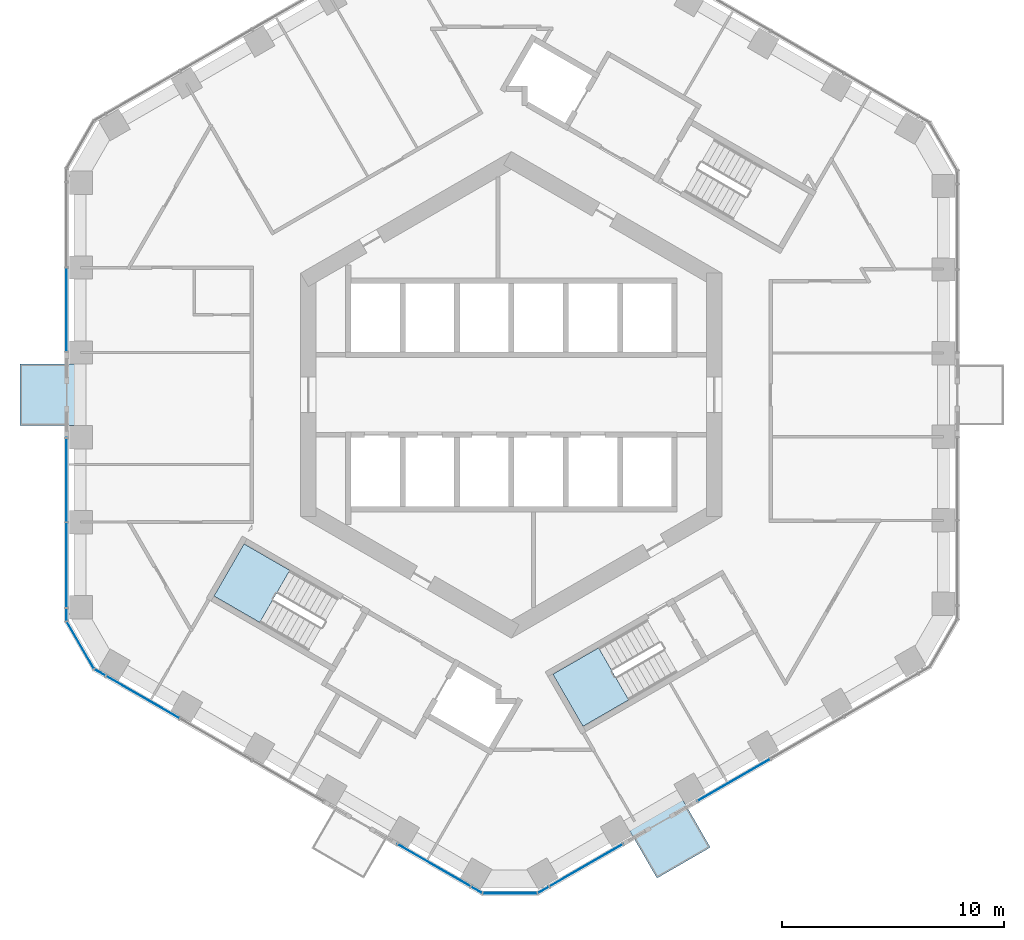
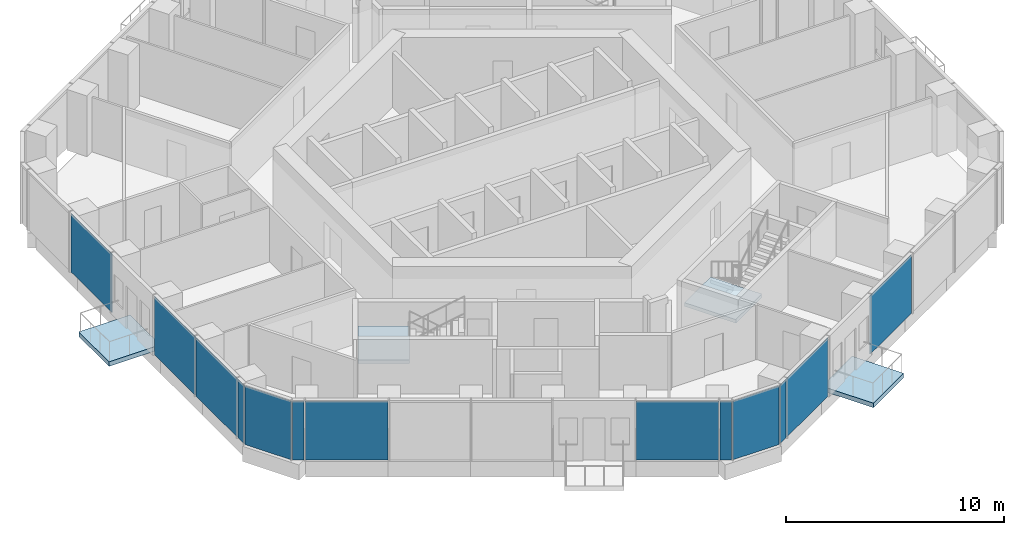
# One storey, part 9 of 20: 13 plates, 4 slabs, 10 elements without a shape of their own.
"""IFC4 building model written with IfcOpenShell, lengths in metres."""

from ifc_helpers import new_model, si_unit, direction, frame, origin, origin_2d, place, context, subcontext, project, spatial, polyline, rectangle, outline, extrude, material, layer, layer_set, type_object, element, aggregate, save


model = new_model("IFC4")

# Units and contexts
model_context = context("Model", 3, precision=1e-05, world=origin(), true_north=direction((0.0, 1.0)))
body_context = subcontext(model_context, "Body", "Model", "MODEL_VIEW")
ifc_project = project(units=[si_unit("LENGTHUNIT", "METRE"), si_unit("AREAUNIT", "SQUARE_METRE"), si_unit("VOLUMEUNIT", "CUBIC_METRE"), si_unit("PLANEANGLEUNIT", "RADIAN"), si_unit("MASSUNIT", "GRAM", prefix="KILO")], contexts=[model_context])

# Site, building, storey
site_placement = place(None, origin())
site = spatial("IfcSite", under=ifc_project, at=site_placement, CompositionType="ELEMENT")
building_placement = place(site_placement, origin())
building = spatial("IfcBuilding", under=site, at=building_placement, Name="Ayvan Gate Tower", CompositionType="ELEMENT")
storey_placement = place(building_placement, frame((0.0, 0.0, 86.5)))
storey = spatial("IfcBuildingStorey", under=building, at=storey_placement, Name="L22", CompositionType="ELEMENT", Elevation=86.5)

# Slabs
ifc_material_1 = material(Name="Concrete C40/50", Category="concrete")
ifc_layer_1 = layer(ifc_material_1, 0.25)
ifc_layer_set_1 = layer_set([ifc_layer_1], Name="Concrete C40/50")
slab_type_1 = type_object("IfcSlabType", Name="Balcony slab 250", PredefinedType="FLOOR", material=ifc_layer_set_1)
slab_1_placement = place(storey_placement, frame((0.0, 0.0, -0.25)))
element("IfcSlab", 1, at=slab_1_placement, inside=storey, type_object=slab_type_1, Name="Balcony slab BAL-L22-3", PredefinedType="FLOOR", context=body_context, shape_type="SweptSolid", body=[
    extrude(outline(polyline([(-19.42626953125, 1.385498046875), (-19.42626953125, -1.385498046875), (-22.151123046875, -1.385498046875), (-22.151123046875, 1.385498046875), (-19.42626953125, 1.385498046875)])), origin(), (0.0, 0.0, 1.0), 0.25),
])
slab_2_placement = place(storey_placement, frame((0.0, 0.0, -0.25)))
element("IfcSlab", 2, at=slab_2_placement, inside=storey, type_object=slab_type_1, Name="Balcony slab BAL-L22-5", PredefinedType="FLOOR", context=body_context, shape_type="SweptSolid", body=[
    extrude(outline(polyline([(5.204345703125, -19.4267578125), (7.60400390625, -18.041259765625), (8.966552734375, -20.401123046875), (6.56689453125, -21.78662109375), (5.204345703125, -19.4267578125)])), origin(), (0.0, 0.0, 1.0), 0.25),
])

# Stair, slab
stair_type = type_object("IfcStairType", Name="ST-EXIT", PredefinedType="HALF_TURN_STAIR", material=ifc_material_1)
stair_1_placement = place(storey_placement, origin())
stair_1 = element("IfcStair", 3, at=stair_1_placement, inside=storey, type_object=stair_type, Name="L22 Exit Stair S2", PredefinedType="HALF_TURN_STAIR")
ifc_layer_2 = layer(ifc_material_1, 0.199951171875)
ifc_layer_set_2 = layer_set([ifc_layer_2], Name="Concrete C40/50")
slab_type_2 = type_object("IfcSlabType", Name="SL-LANDING-200", PredefinedType="LANDING", material=ifc_layer_set_2)
slab_3_placement = place(storey_placement, frame((0.0, 0.0, 1.5)))
slab_3 = element("IfcSlab", 4, at=slab_3_placement, type_object=slab_type_2, Name="STS2 landing 1", PredefinedType="LANDING", context=body_context, shape_type="SweptSolid", body=[
    extrude(outline(polyline([(-9.988525390625, -7.91064453125), (-12.049560546875, -6.720458984375), (-13.404541015625, -9.0673828125), (-11.343505859375, -10.257568359375), (-9.988525390625, -7.91064453125)])), origin(), (0.0, 0.0, 1.0), 0.199951171875),
])
aggregate(stair_1, [slab_3])

stair_2_placement = place(storey_placement, origin())
stair_2 = element("IfcStair", 5, at=stair_2_placement, inside=storey, type_object=stair_type, Name="L22 Exit Stair S3", PredefinedType="HALF_TURN_STAIR")
slab_4_placement = place(storey_placement, frame((0.0, 0.0, 1.5)))
slab_4 = element("IfcSlab", 6, at=slab_4_placement, type_object=slab_type_2, Name="STS3 landing 1", PredefinedType="LANDING", context=body_context, shape_type="SweptSolid", body=[
    extrude(outline(polyline([(3.93505859375, -11.405517578125), (1.873779296875, -12.595458984375), (3.228759765625, -14.9423828125), (5.2900390625, -13.75244140625), (3.93505859375, -11.405517578125)])), origin(), (0.0, 0.0, 1.0), 0.199951171875),
])
aggregate(stair_2, [slab_4])

# Curtain wall, plate
ifc_material_2 = material(Name="Bronze anodised aluminium", Category="aluminium")
ifc_layer_3 = layer(ifc_material_2, 0.199951171875)
ifc_layer_set_3 = layer_set([ifc_layer_3], Name="Bronze anodised aluminium")
curtain_wall_type_1 = type_object("IfcCurtainWallType", Name="Stick curtain wall CW-1", PredefinedType="NOTDEFINED", material=ifc_layer_set_3)
curtain_wall_1_placement = place(storey_placement, origin())
curtain_wall_1 = element("IfcCurtainWall", 7, at=curtain_wall_1_placement, inside=storey, type_object=curtain_wall_type_1, Name="Stick curtain wall CW-1 L22", PredefinedType="NOTDEFINED")
ifc_material_3 = material(Name="Clear low-iron laminated glass", Category="glass")
ifc_layer_4 = layer(ifc_material_3, 0.028076171875)
ifc_layer_set_4 = layer_set([ifc_layer_4], Name="Clear low-iron laminated glass")
plate_type_1 = type_object("IfcPlateType", Name="Stick curtain wall CW-1 glass panel", PredefinedType="CURTAIN_PANEL", material=ifc_layer_set_4)
plate_1_placement = place(storey_placement, frame((-20.05126953125, 3.827392578125, 0.0), z_axis=(0.0, 0.0, 1.0), x_axis=(0.0, -1.0, 0.0)))
plate_1 = element("IfcPlate", 8, at=plate_1_placement, type_object=plate_type_1, Name="CW-1 glass panel 2", PredefinedType="CURTAIN_PANEL", context=body_context, shape_type="SweptSolid", body=[
    extrude(rectangle(XDim=3.76806640625, YDim=0.028076171875, at=origin_2d()), origin(), (0.0, 0.0, 1.0), 3.280029296875),
])
aggregate(curtain_wall_1, [plate_1])

# Curtain wall, plates
curtain_wall_2_placement = place(storey_placement, origin())
curtain_wall_2 = element("IfcCurtainWall", 9, at=curtain_wall_2_placement, inside=storey, type_object=curtain_wall_type_1, Name="Stick curtain wall CW-1 L22", PredefinedType="NOTDEFINED")
plate_2_placement = place(storey_placement, frame((-20.05126953125, -3.827392578125, 0.0), z_axis=(0.0, 0.0, 1.0), x_axis=(0.0, -1.0, 0.0)))
plate_2 = element("IfcPlate", 10, at=plate_2_placement, type_object=plate_type_1, Name="CW-1 glass panel 1", PredefinedType="CURTAIN_PANEL", context=body_context, shape_type="SweptSolid", body=[
    extrude(rectangle(XDim=3.76806640625, YDim=0.028076171875, at=origin_2d()), origin(), (0.0, 0.0, 1.0), 3.280029296875),
])
plate_3_placement = place(storey_placement, frame((-20.05126953125, -7.68798828125, 0.0), z_axis=(0.0, 0.0, 1.0), x_axis=(0.0, -1.0, 0.0)))
plate_3 = element("IfcPlate", 11, at=plate_3_placement, type_object=plate_type_1, Name="CW-1 glass panel 2", PredefinedType="CURTAIN_PANEL", context=body_context, shape_type="SweptSolid", body=[
    extrude(rectangle(XDim=3.8330078125, YDim=0.028076171875, at=origin_2d()), origin(), (0.0, 0.0, 1.0), 3.280029296875),
])
aggregate(curtain_wall_2, [plate_2, plate_3])

# Curtain wall, plate
curtain_wall_3_placement = place(storey_placement, origin())
curtain_wall_3 = element("IfcCurtainWall", 12, at=curtain_wall_3_placement, inside=storey, type_object=curtain_wall_type_1, Name="Stick curtain wall CW-1 L22", PredefinedType="NOTDEFINED")
plate_4_placement = place(storey_placement, frame((-16.628662109375, -13.62109375, 0.0), z_axis=(0.0, 0.0, 1.0), x_axis=(0.866025403784, -0.5, 0.0)))
plate_4 = element("IfcPlate", 13, at=plate_4_placement, type_object=plate_type_1, Name="CW-1 glass panel 1", PredefinedType="CURTAIN_PANEL", context=body_context, shape_type="SweptSolid", body=[
    extrude(rectangle(XDim=3.822998046875, YDim=0.028076171875, at=origin_2d()), origin(), (0.0, 0.0, 1.0), 3.280029296875),
])
aggregate(curtain_wall_3, [plate_4])

curtain_wall_4_placement = place(storey_placement, origin())
curtain_wall_4 = element("IfcCurtainWall", 14, at=curtain_wall_4_placement, inside=storey, type_object=curtain_wall_type_1, Name="Stick curtain wall CW-1 L22", PredefinedType="NOTDEFINED")
plate_5_placement = place(storey_placement, frame((-3.481689453125, -21.21142578125, 0.0), z_axis=(0.0, 0.0, 1.0), x_axis=(0.866025403784, -0.5, 0.0)))
plate_5 = element("IfcPlate", 15, at=plate_5_placement, type_object=plate_type_1, Name="CW-1 glass panel 1", PredefinedType="CURTAIN_PANEL", context=body_context, shape_type="SweptSolid", body=[
    extrude(rectangle(XDim=3.822509765625, YDim=0.028076171875, at=origin_2d()), origin(), (0.0, 0.0, 1.0), 3.280029296875),
])
aggregate(curtain_wall_4, [plate_5])

curtain_wall_5_placement = place(storey_placement, origin())
curtain_wall_5 = element("IfcCurtainWall", 16, at=curtain_wall_5_placement, inside=storey, type_object=curtain_wall_type_1, Name="Stick curtain wall CW-1 L22", PredefinedType="NOTDEFINED")
plate_6_placement = place(storey_placement, frame((3.36767578125, -21.208984375, 0.0), z_axis=(0.0, 0.0, 1.0), x_axis=(0.866025403784, 0.5, 0.0)))
plate_6 = element("IfcPlate", 17, at=plate_6_placement, type_object=plate_type_1, Name="CW-1 glass panel 1", PredefinedType="CURTAIN_PANEL", context=body_context, shape_type="SweptSolid", body=[
    extrude(rectangle(XDim=3.8330078125, YDim=0.028076171875, at=origin_2d()), origin(), (0.0, 0.0, 1.0), 3.280029296875),
])
aggregate(curtain_wall_5, [plate_6])

curtain_wall_6_placement = place(storey_placement, origin())
curtain_wall_6 = element("IfcCurtainWall", 18, at=curtain_wall_6_placement, inside=storey, type_object=curtain_wall_type_1, Name="Stick curtain wall CW-1 L22", PredefinedType="NOTDEFINED")
plate_7_placement = place(storey_placement, frame((10.025634765625, -17.36474609375, 0.0), z_axis=(0.0, 0.0, 1.0), x_axis=(0.866025403784, 0.5, 0.0)))
plate_7 = element("IfcPlate", 19, at=plate_7_placement, type_object=plate_type_1, Name="CW-1 glass panel 1", PredefinedType="CURTAIN_PANEL", context=body_context, shape_type="SweptSolid", body=[
    extrude(rectangle(XDim=3.76708984375, YDim=0.028076171875, at=origin_2d()), origin(), (0.0, 0.0, 1.0), 3.280029296875),
])
aggregate(curtain_wall_6, [plate_7])

# Curtain wall, plates
ifc_layer_5 = layer(ifc_material_2, 0.199951171875)
ifc_layer_set_5 = layer_set([ifc_layer_5], Name="Bronze anodised aluminium")
curtain_wall_type_2 = type_object("IfcCurtainWallType", Name="Stick curtain wall CW-6", PredefinedType="NOTDEFINED", material=ifc_layer_set_5)
curtain_wall_7_placement = place(storey_placement, origin())
curtain_wall_7 = element("IfcCurtainWall", 20, at=curtain_wall_7_placement, inside=storey, type_object=curtain_wall_type_2, Name="Stick curtain wall CW-6 L22", PredefinedType="NOTDEFINED")
ifc_layer_6 = layer(ifc_material_3, 0.028076171875)
ifc_layer_set_6 = layer_set([ifc_layer_6], Name="Clear low-iron laminated glass")
plate_type_2 = type_object("IfcPlateType", Name="Stick curtain wall CW-6 glass panel", PredefinedType="CURTAIN_PANEL", material=ifc_layer_set_6)
plate_8_placement = place(storey_placement, frame((-20.05126953125, -9.909423828125, 0.0), z_axis=(0.0, 0.0, 1.0), x_axis=(0.0, -1.0, 0.0)))
plate_8 = element("IfcPlate", 21, at=plate_8_placement, type_object=plate_type_2, Name="CW-6 glass panel 1", PredefinedType="CURTAIN_PANEL", context=body_context, shape_type="SweptSolid", body=[
    extrude(rectangle(XDim=0.550048828125, YDim=0.028076171875, at=origin_2d()), origin(), (0.0, 0.0, 1.0), 3.280029296875),
])
plate_9_placement = place(storey_placement, frame((-19.4296875, -11.2861328125, 0.0), z_axis=(0.0, 0.0, 1.0), x_axis=(0.5, -0.866025403784, 0.0)))
plate_9 = element("IfcPlate", 22, at=plate_9_placement, type_object=plate_type_2, Name="CW-6 glass panel 2", PredefinedType="CURTAIN_PANEL", context=body_context, shape_type="SweptSolid", body=[
    extrude(rectangle(XDim=2.4365234375, YDim=0.028076171875, at=origin_2d()), origin(), (0.0, 0.0, 1.0), 3.280029296875),
])
plate_10_placement = place(storey_placement, frame((-18.548095703125, -12.512939453125, 0.0), z_axis=(0.0, 0.0, 1.0), x_axis=(0.866025403784, -0.5, 0.0)))
plate_10 = element("IfcPlate", 23, at=plate_10_placement, type_object=plate_type_2, Name="CW-6 glass panel 3", PredefinedType="CURTAIN_PANEL", context=body_context, shape_type="SweptSolid", body=[
    extrude(rectangle(XDim=0.550048828125, YDim=0.028076171875, at=origin_2d()), origin(), (0.0, 0.0, 1.0), 3.280029296875),
])
aggregate(curtain_wall_7, [plate_8, plate_9, plate_10])

curtain_wall_8_placement = place(storey_placement, origin())
curtain_wall_8 = element("IfcCurtainWall", 24, at=curtain_wall_8_placement, inside=storey, type_object=curtain_wall_type_2, Name="Stick curtain wall CW-6 L22", PredefinedType="NOTDEFINED")
plate_11_placement = place(storey_placement, frame((-1.5625, -22.319580078125, 0.0), z_axis=(0.0, 0.0, 1.0), x_axis=(0.866025403784, -0.5, 0.0)))
plate_11 = element("IfcPlate", 25, at=plate_11_placement, type_object=plate_type_2, Name="CW-6 glass panel 1", PredefinedType="CURTAIN_PANEL", context=body_context, shape_type="SweptSolid", body=[
    extrude(rectangle(XDim=0.550048828125, YDim=0.028076171875, at=origin_2d()), origin(), (0.0, 0.0, 1.0), 3.280029296875),
])
plate_12_placement = place(storey_placement, frame((-0.059326171875, -22.4697265625, 0.0), z_axis=(0.0, 0.0, 1.0), x_axis=(1.0, 0.0, 0.0)))
plate_12 = element("IfcPlate", 26, at=plate_12_placement, type_object=plate_type_2, Name="CW-6 glass panel 2", PredefinedType="CURTAIN_PANEL", context=body_context, shape_type="SweptSolid", body=[
    extrude(rectangle(XDim=2.4365234375, YDim=0.028076171875, at=origin_2d()), origin(), (0.0, 0.0, 1.0), 3.280029296875),
])
plate_13_placement = place(storey_placement, frame((1.44384765625, -22.319580078125, 0.0), z_axis=(0.0, 0.0, 1.0), x_axis=(0.866025403784, 0.5, 0.0)))
plate_13 = element("IfcPlate", 27, at=plate_13_placement, type_object=plate_type_2, Name="CW-6 glass panel 3", PredefinedType="CURTAIN_PANEL", context=body_context, shape_type="SweptSolid", body=[
    extrude(rectangle(XDim=0.550048828125, YDim=0.028076171875, at=origin_2d()), origin(), (0.0, 0.0, 1.0), 3.280029296875),
])
aggregate(curtain_wall_8, [plate_11, plate_12, plate_13])

save(model, "model.ifc")
